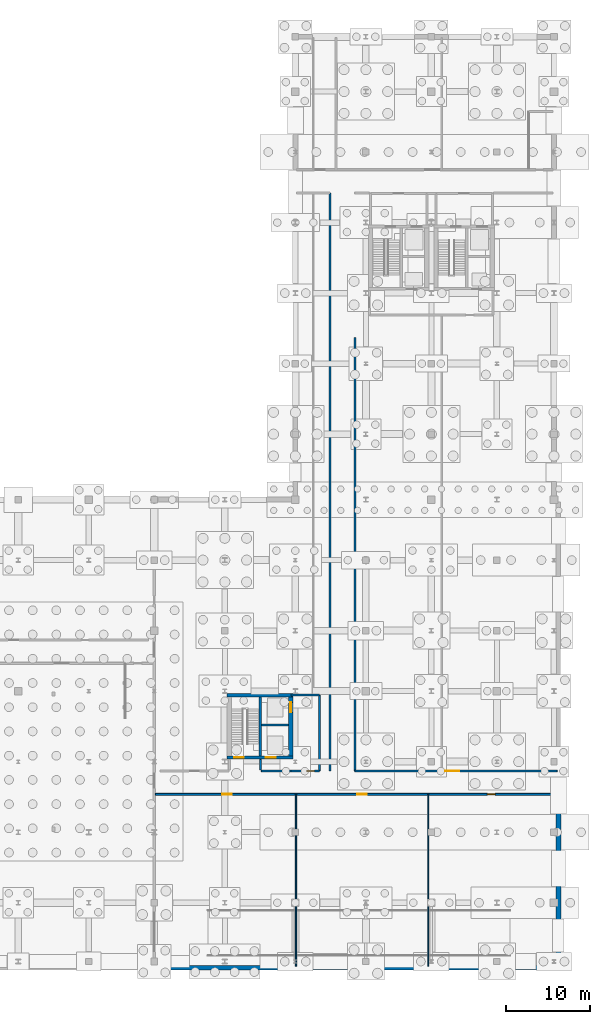
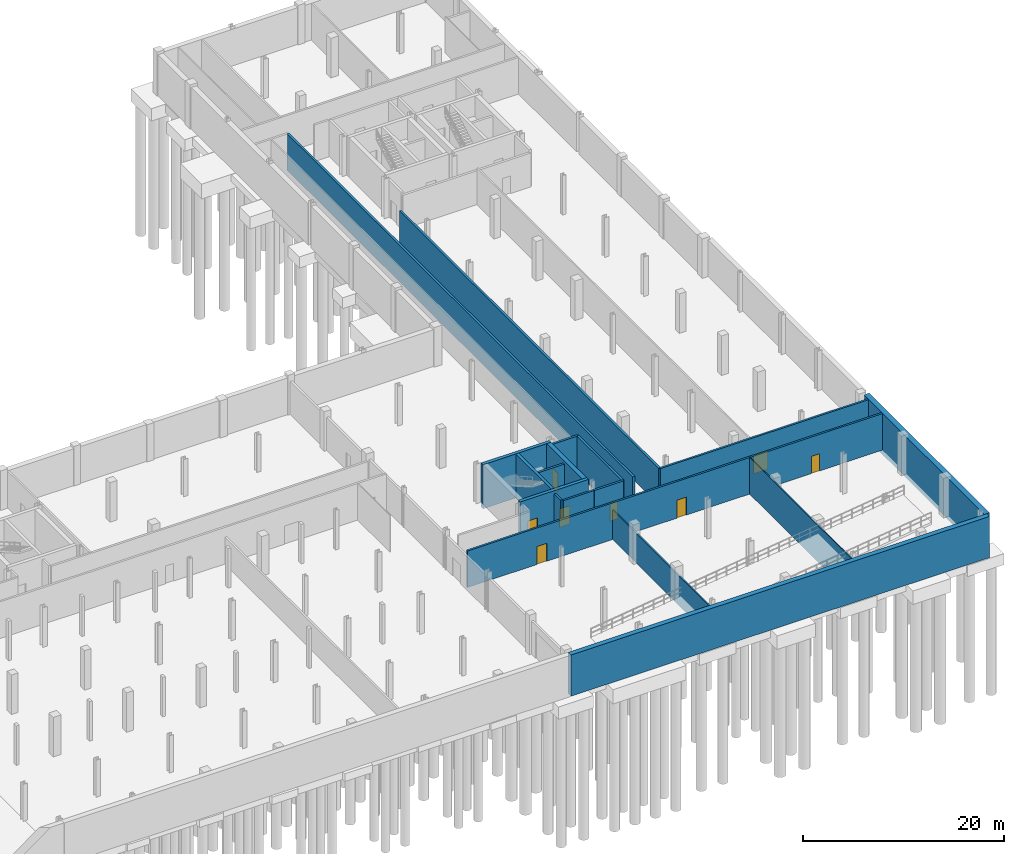
# One storey, part 25 of 32: 18 walls, 8 doors, 8 openings.
"""IFC4 building model written with IfcOpenShell, lengths in metres."""

from ifc_helpers import new_model, si_unit, direction, frame, frame_2d, origin_with_axes, place, context, subcontext, project, spatial, rectangle, extrude, material, layer, layer_set, type_object, element, fill, save


model = new_model("IFC4")

# Units and contexts
model_context = context("Model", 3, precision=1e-05, world=origin_with_axes(), true_north=direction((0.0, 1.0)))
body_context = subcontext(model_context, "Body", "Model", "MODEL_VIEW")
ifc_project = project(units=[si_unit("LENGTHUNIT", "METRE"), si_unit("AREAUNIT", "SQUARE_METRE"), si_unit("VOLUMEUNIT", "CUBIC_METRE"), si_unit("PLANEANGLEUNIT", "RADIAN"), si_unit("MASSUNIT", "GRAM", prefix="KILO"), si_unit("THERMODYNAMICTEMPERATUREUNIT", "KELVIN")], contexts=[model_context])

# Site, building, storey
site_placement = place(None, origin_with_axes())
site = spatial("IfcSite", under=ifc_project, at=site_placement, CompositionType="ELEMENT")
building_placement = place(site_placement, origin_with_axes())
building = spatial("IfcBuilding", under=site, at=building_placement, Name="Montbau Bow Law Courts", CompositionType="ELEMENT")
storey_placement = place(building_placement, frame((0.0, 0.0, -4.8), z_axis=(0.0, 0.0, 1.0), x_axis=(1.0, 0.0, 0.0)))
storey = spatial("IfcBuildingStorey", under=building, at=storey_placement, Name="B1", CompositionType="ELEMENT", Elevation=-4.8)

# Wall, opening, door
ifc_material_1 = material(Name="Concrete CSA A23.1 f'c 45 MPa", Category="concrete")
ifc_layer_1 = layer(ifc_material_1, 0.5, Name="Shear Wall", Category="concrete")
ifc_layer_set_1 = layer_set([ifc_layer_1], Name="Concrete CSA A23.1 f'c 45 MPa")
wall_type_1 = type_object("IfcWallType", Name="W-COR-01", PredefinedType="SHEAR", material=ifc_layer_set_1)
wall_1_placement = place(None, frame((138.06, 31.27, -5.35), z_axis=(0.0, 0.0, 1.0), x_axis=(0.0, 1.0, 0.0)))
wall_1 = element("IfcWall", 1, at=wall_1_placement, inside=storey, type_object=wall_type_1, Name="WC-B1-0482:wal_0549", PredefinedType="SHEAR", context=body_context, shape_type="SweptSolid", body=[
    extrude(rectangle(XDim=7.059999999999999, YDim=0.5, at=frame_2d((3.53, 0.0), x_axis=(1.0, 0.0))), origin_with_axes(), (0.0, 0.0, 1.0), 5.35),
])
opening_1_placement = place(None, frame((138.06, 37.07, -4.8), z_axis=(0.0, 0.0, 1.0), x_axis=(0.0, 1.0, 0.0)))
opening_1 = element("IfcOpeningElement", 2, at=opening_1_placement, cuts=wall_1, Name="OP-LD-B1-EL-C2", PredefinedType="OPENING", context=body_context, shape_type="SweptSolid", body=[
    extrude(rectangle(XDim=1.18, YDim=2.24, at=frame_2d((0.0, 1.12), x_axis=(1.0, 0.0))), frame((0.0, 0.26, 0.0), z_axis=(0.0, -1.0, 0.0), x_axis=(1.0, 0.0, 0.0)), (0.0, 0.0, 1.0), 0.52),
])
ifc_material_2 = material(Name="Heavy-Gauge Security Custody Elevator Landing Door", Category="steel")
door_type_1 = type_object("IfcDoorType", Name="LD-CUS-01", OperationType="NOTDEFINED", ParameterTakesPrecedence=False, PredefinedType="DOOR", material=ifc_material_2)
door_1_placement = place(None, frame((138.06, 37.07, -4.8), z_axis=(0.0, 0.0, 1.0), x_axis=(0.0, 1.0, 0.0)))
door_1 = element("IfcDoor", 3, at=door_1_placement, inside=storey, type_object=door_type_1, Name="LD-B1-EL-C2:dor_0217", OperationType="SLIDING_TO_LEFT", OverallHeight=2.24, OverallWidth=1.18, PredefinedType="DOOR", context=body_context, shape_type="SweptSolid", body=[
    extrude(rectangle(XDim=1.18, YDim=2.24, at=frame_2d((0.0, 1.12), x_axis=(1.0, 0.0))), frame((0.0, 0.04, 0.0), z_axis=(0.0, -1.0, 0.0), x_axis=(1.0, 0.0, 0.0)), (0.0, 0.0, 1.0), 0.08),
])
fill(opening_1, door_1)

# Wall, openings, doors
ifc_layer_2 = layer(ifc_material_1, 0.38, Name="Shear Wall", Category="concrete")
ifc_layer_set_2 = layer_set([ifc_layer_2], Name="Concrete CSA A23.1 f'c 45 MPa")
wall_type_2 = type_object("IfcWallType", Name="W-COR-04", PredefinedType="SHEAR", material=ifc_layer_set_2)
wall_2_placement = place(None, frame((130.49, 31.08, -5.35), z_axis=(0.0, 0.0, 1.0), x_axis=(1.0, 0.0, 0.0)))
wall_2 = element("IfcWall", 4, at=wall_2_placement, inside=storey, type_object=wall_type_2, Name="WC-B1-0480:wal_0547", PredefinedType="SHEAR", context=body_context, shape_type="SweptSolid", body=[
    extrude(rectangle(XDim=7.819999999999993, YDim=0.38, at=frame_2d((3.91, 0.0), x_axis=(1.0, 0.0))), origin_with_axes(), (0.0, 0.0, 1.0), 5.35),
])
opening_2_placement = place(None, frame((131.91, 31.08, -4.8), z_axis=(0.0, 0.0, 1.0), x_axis=(1.0, 0.0, 0.0)))
opening_2 = element("IfcOpeningElement", 5, at=opening_2_placement, cuts=wall_2, Name="OP-D-B1-ST-C1", PredefinedType="OPENING", context=body_context, shape_type="SweptSolid", body=[
    extrude(rectangle(XDim=1.14, YDim=2.18, at=frame_2d((0.0, 1.09), x_axis=(1.0, 0.0))), frame((0.0, 0.2, 0.0), z_axis=(0.0, -1.0, 0.0), x_axis=(1.0, 0.0, 0.0)), (0.0, 0.0, 1.0), 0.4),
])
opening_3_placement = place(None, frame((135.66, 31.08, -4.8), z_axis=(0.0, 0.0, 1.0), x_axis=(1.0, 0.0, 0.0)))
opening_3 = element("IfcOpeningElement", 6, at=opening_3_placement, cuts=wall_2, Name="OP-LD-B1-EL-C1", PredefinedType="OPENING", context=body_context, shape_type="SweptSolid", body=[
    extrude(rectangle(XDim=1.18, YDim=2.24, at=frame_2d((0.0, 1.12), x_axis=(1.0, 0.0))), frame((0.0, 0.2, 0.0), z_axis=(0.0, -1.0, 0.0), x_axis=(1.0, 0.0, 0.0)), (0.0, 0.0, 1.0), 0.4),
])
ifc_material_3 = material(Name="1.5 h Fire-Rated Hollow-Metal Exit Stair Door", Category="steel")
door_type_2 = type_object("IfcDoorType", Name="D-ST-01", OperationType="NOTDEFINED", ParameterTakesPrecedence=False, PredefinedType="DOOR", material=ifc_material_3)
door_2_placement = place(None, frame((131.91, 31.08, -4.8), z_axis=(0.0, 0.0, 1.0), x_axis=(-1.0, 0.0, 0.0)))
door_2 = element("IfcDoor", 7, at=door_2_placement, inside=storey, type_object=door_type_2, Name="D-B1-ST-C1:dor_0215", OperationType="SINGLE_SWING_RIGHT", OverallHeight=2.18, OverallWidth=1.14, PredefinedType="DOOR", context=body_context, shape_type="SweptSolid", body=[
    extrude(rectangle(XDim=1.14, YDim=2.18, at=frame_2d((0.0, 1.09), x_axis=(1.0, 0.0))), frame((0.0, 0.04, 0.0), z_axis=(0.0, -1.0, 0.0), x_axis=(1.0, 0.0, 0.0)), (0.0, 0.0, 1.0), 0.08),
])
fill(opening_2, door_2)
door_3_placement = place(None, frame((135.66, 31.08, -4.8), z_axis=(0.0, 0.0, 1.0), x_axis=(-1.0, 0.0, 0.0)))
door_3 = element("IfcDoor", 8, at=door_3_placement, inside=storey, type_object=door_type_1, Name="LD-B1-EL-C1:dor_0216", OperationType="SLIDING_TO_LEFT", OverallHeight=2.24, OverallWidth=1.18, PredefinedType="DOOR", context=body_context, shape_type="SweptSolid", body=[
    extrude(rectangle(XDim=1.18, YDim=2.24, at=frame_2d((0.0, 1.12), x_axis=(1.0, 0.0))), frame((0.0, 0.04, 0.0), z_axis=(0.0, -1.0, 0.0), x_axis=(1.0, 0.0, 0.0)), (0.0, 0.0, 1.0), 0.08),
])
fill(opening_3, door_3)

# Walls
wall_3_placement = place(None, frame((138.31, 38.52, -5.35), z_axis=(0.0, 0.0, 1.0), x_axis=(-1.0, 0.0, 0.0)))
element("IfcWall", 9, at=wall_3_placement, inside=storey, type_object=wall_type_2, Name="WC-B1-0481:wal_0548", PredefinedType="SHEAR", context=body_context, shape_type="SweptSolid", body=[
    extrude(rectangle(XDim=7.819999999999993, YDim=0.38, at=frame_2d((3.91, 0.0), x_axis=(1.0, 0.0))), origin_with_axes(), (0.0, 0.0, 1.0), 5.35),
])
ifc_layer_3 = layer(ifc_material_1, 0.32, Name="Shear Wall", Category="concrete")
ifc_layer_set_3 = layer_set([ifc_layer_3], Name="Concrete CSA A23.1 f'c 45 MPa")
wall_type_3 = type_object("IfcWallType", Name="W-COR-05", PredefinedType="SHEAR", material=ifc_layer_set_3)
wall_4_placement = place(None, frame((134.42, 31.27, -5.35), z_axis=(0.0, 0.0, 1.0), x_axis=(0.0, 1.0, 0.0)))
element("IfcWall", 10, at=wall_4_placement, inside=storey, type_object=wall_type_3, Name="WS-B1-0484:wal_0551", PredefinedType="SHEAR", context=body_context, shape_type="SweptSolid", body=[
    extrude(rectangle(XDim=7.059999999999999, YDim=0.32, at=frame_2d((3.53, 0.0), x_axis=(1.0, 0.0))), origin_with_axes(), (0.0, 0.0, 1.0), 5.35),
])
ifc_material_4 = material(Name="2 h Shaft and Exit-Passage Fire Separation Partition", Category="gypsum")
ifc_layer_4 = layer(ifc_material_4, 0.25, Name="Partition", Category="gypsum")
ifc_layer_set_4 = layer_set([ifc_layer_4], Name="2 h Shaft and Exit-Passage Fire Separation Partition")
wall_type_4 = type_object("IfcWallType", Name="W-PRT-01", PredefinedType="PARTITIONING", material=ifc_layer_set_4)
wall_5_placement = place(None, frame((134.58, 34.949, -4.8), z_axis=(0.0, 0.0, 1.0), x_axis=(1.0, 0.0, 0.0)))
element("IfcWall", 11, at=wall_5_placement, inside=storey, type_object=wall_type_4, Name="WS-B1-0485:wal_0552", PredefinedType="PARTITIONING", context=body_context, shape_type="SweptSolid", body=[
    extrude(rectangle(XDim=3.2299999999999898, YDim=0.25, at=frame_2d((1.615, 0.0), x_axis=(1.0, 0.0))), origin_with_axes(), (0.0, 0.0, 1.0), 4.44),
])
wall_6_placement = place(None, frame((141.46, 29.49, -4.8), z_axis=(0.0, 0.0, 1.0), x_axis=(0.0, 1.0, 0.0)))
element("IfcWall", 12, at=wall_6_placement, inside=storey, type_object=wall_type_4, Name="WEL-B1-0486:wal_0553", PredefinedType="PARTITIONING", context=body_context, shape_type="SweptSolid", body=[
    extrude(rectangle(XDim=9.030000000000005, YDim=0.25, at=frame_2d((4.515, 0.0), x_axis=(1.0, 0.0))), origin_with_axes(), (0.0, 0.0, 1.0), 4.44),
])
wall_7_placement = place(None, frame((138.1, 38.52, -4.8), z_axis=(0.0, 0.0, 1.0), x_axis=(1.0, 0.0, 0.0)))
element("IfcWall", 13, at=wall_7_placement, inside=storey, type_object=wall_type_4, Name="WEL-B1-0487:wal_0554", PredefinedType="PARTITIONING", context=body_context, shape_type="SweptSolid", body=[
    extrude(rectangle(XDim=3.3600000000000136, YDim=0.25, at=frame_2d((1.68, 0.0), x_axis=(1.0, 0.0))), origin_with_axes(), (0.0, 0.0, 1.0), 4.44),
])

# Wall, opening, door
wall_8_placement = place(None, frame((138.1, 29.49, -4.8), z_axis=(0.0, 0.0, 1.0), x_axis=(1.0, 0.0, 0.0)))
wall_8 = element("IfcWall", 14, at=wall_8_placement, inside=storey, type_object=wall_type_4, Name="WEL-B1-0488:wal_0555", PredefinedType="PARTITIONING", context=body_context, shape_type="SweptSolid", body=[
    extrude(rectangle(XDim=3.3600000000000136, YDim=0.25, at=frame_2d((1.68, 0.0), x_axis=(1.0, 0.0))), origin_with_axes(), (0.0, 0.0, 1.0), 4.44),
])
opening_4_placement = place(None, frame((140.405, 29.49, -4.8), z_axis=(0.0, 0.0, 1.0), x_axis=(1.0, 0.0, 0.0)))
opening_4 = element("IfcOpeningElement", 15, at=opening_4_placement, cuts=wall_8, Name="OP-D-B1-ELB-CORE-CU", PredefinedType="OPENING", context=body_context, shape_type="SweptSolid", body=[
    extrude(rectangle(XDim=0.91, YDim=2.12, at=frame_2d((0.0, 1.06), x_axis=(1.0, 0.0))), frame((0.0, 0.135, 0.0), z_axis=(0.0, -1.0, 0.0), x_axis=(1.0, 0.0, 0.0)), (0.0, 0.0, 1.0), 0.27),
])
ifc_material_5 = material(Name="Public and Judicial Washroom Solid-Core Door", Category="wood")
door_type_3 = type_object("IfcDoorType", Name="D-WC-02", OperationType="NOTDEFINED", ParameterTakesPrecedence=False, PredefinedType="DOOR", material=ifc_material_5)
door_4_placement = place(None, frame((140.405, 29.49, -4.8), z_axis=(0.0, 0.0, 1.0), x_axis=(1.0, 0.0, 0.0)))
door_4 = element("IfcDoor", 16, at=door_4_placement, inside=storey, type_object=door_type_3, Name="D-B1-ELB-CORE-CU:dor_0218", OperationType="SINGLE_SWING_LEFT", OverallHeight=2.12, OverallWidth=0.91, PredefinedType="DOOR", context=body_context, shape_type="SweptSolid", body=[
    extrude(rectangle(XDim=0.91, YDim=2.12, at=frame_2d((0.0, 1.06), x_axis=(1.0, 0.0))), frame((0.0, 0.04, 0.0), z_axis=(0.0, -1.0, 0.0), x_axis=(1.0, 0.0, 0.0)), (0.0, 0.0, 1.0), 0.08),
])
fill(opening_4, door_4)

# Walls
wall_9_placement = place(None, frame((142.71, 29.49, -4.8), z_axis=(0.0, 0.0, 1.0), x_axis=(0.0, 1.0, 0.0)))
element("IfcWall", 17, at=wall_9_placement, inside=storey, type_object=wall_type_4, Name="WCX-B1-0590:wal_0657", PredefinedType="PARTITIONING", context=body_context, shape_type="SweptSolid", body=[
    extrude(rectangle(XDim=68.82000000000001, YDim=0.25, at=frame_2d((34.41, 0.0), x_axis=(1.0, 0.0))), origin_with_axes(), (0.0, 0.0, 1.0), 4.44),
])
wall_10_placement = place(None, frame((145.69, 29.49, -4.8), z_axis=(0.0, 0.0, 1.0), x_axis=(0.0, 1.0, 0.0)))
element("IfcWall", 18, at=wall_10_placement, inside=storey, type_object=wall_type_4, Name="WCX-B1-0591:wal_0658", PredefinedType="PARTITIONING", context=body_context, shape_type="SweptSolid", body=[
    extrude(rectangle(XDim=51.61, YDim=0.25, at=frame_2d((25.805, 0.0), x_axis=(1.0, 0.0))), origin_with_axes(), (0.0, 0.0, 1.0), 4.44),
])
ifc_material_6 = material(Name="STC-60 High-Acoustic Courtroom Perimeter Partition", Category="gypsum")
ifc_layer_5 = layer(ifc_material_6, 0.22, Name="Partition", Category="gypsum")
ifc_layer_set_5 = layer_set([ifc_layer_5], Name="STC-60 High-Acoustic Courtroom Perimeter Partition")
wall_type_5 = type_object("IfcWallType", Name="W-PRT-02", PredefinedType="PARTITIONING", material=ifc_layer_set_5)
wall_11_placement = place(None, frame((134.45, 29.62, -4.8), z_axis=(0.0, 0.0, 1.0), x_axis=(0.0, 1.0, 0.0)))
element("IfcWall", 19, at=wall_11_placement, inside=storey, type_object=wall_type_5, Name="WCX-B1-0589:wal_0656", PredefinedType="PARTITIONING", context=body_context, shape_type="SweptSolid", body=[
    extrude(rectangle(XDim=1.259999999999998, YDim=0.22, at=frame_2d((0.63, 0.0), x_axis=(1.0, 0.0))), origin_with_axes(), (0.0, 0.0, 1.0), 4.44),
])
wall_12_placement = place(None, frame((134.55, 29.49, -4.8), z_axis=(0.0, 0.0, 1.0), x_axis=(1.0, 0.0, 0.0)))
element("IfcWall", 20, at=wall_12_placement, inside=storey, type_object=wall_type_5, Name="WP-B1-0593:wal_0660", PredefinedType="PARTITIONING", context=body_context, shape_type="SweptSolid", body=[
    extrude(rectangle(XDim=3.509999999999991, YDim=0.22, at=frame_2d((1.755, 0.0), x_axis=(1.0, 0.0))), origin_with_axes(), (0.0, 0.0, 1.0), 4.44),
])

# Wall, opening, door
wall_13_placement = place(None, frame((145.7, 29.49, -4.8), z_axis=(0.0, 0.0, 1.0), x_axis=(1.0, 0.0, 0.0)))
wall_13 = element("IfcWall", 21, at=wall_13_placement, inside=storey, type_object=wall_type_5, Name="WP-B1-0594:wal_0661", PredefinedType="PARTITIONING", context=body_context, shape_type="SweptSolid", body=[
    extrude(rectangle(XDim=24.080000000000013, YDim=0.22, at=frame_2d((12.04, 0.0), x_axis=(1.0, 0.0))), origin_with_axes(), (0.0, 0.0, 1.0), 4.44),
])
opening_5_placement = place(None, frame((157.267, 29.49, -4.8), z_axis=(0.0, 0.0, 1.0), x_axis=(1.0, 0.0, 0.0)))
opening_5 = element("IfcOpeningElement", 22, at=opening_5_placement, cuts=wall_13, Name="OP-D-B1-223", PredefinedType="OPENING", context=body_context, shape_type="SweptSolid", body=[
    extrude(rectangle(XDim=1.68, YDim=2.22, at=frame_2d((0.0, 1.11), x_axis=(1.0, 0.0))), frame((0.0, 0.12, 0.0), z_axis=(0.0, -1.0, 0.0), x_axis=(1.0, 0.0, 0.0)), (0.0, 0.0, 1.0), 0.24),
])
ifc_material_7 = material(Name="2 h Evidence Vault and Court Archive Fire Door", Category="steel")
door_type_4 = type_object("IfcDoorType", Name="D-ARC-01", OperationType="NOTDEFINED", ParameterTakesPrecedence=False, PredefinedType="DOOR", material=ifc_material_7)
door_5_placement = place(None, frame((157.267, 29.49, -4.8), z_axis=(0.0, 0.0, 1.0), x_axis=(-1.0, 0.0, 0.0)))
door_5 = element("IfcDoor", 23, at=door_5_placement, inside=storey, type_object=door_type_4, Name="D-B1-223:dor_0258", OperationType="DOUBLE_DOOR_SINGLE_SWING", OverallHeight=2.22, OverallWidth=1.68, PredefinedType="DOOR", context=body_context, shape_type="SweptSolid", body=[
    extrude(rectangle(XDim=1.68, YDim=2.22, at=frame_2d((0.0, 1.11), x_axis=(1.0, 0.0))), frame((0.0, 0.04, 0.0), z_axis=(0.0, -1.0, 0.0), x_axis=(1.0, 0.0, 0.0)), (0.0, 0.0, 1.0), 0.08),
])
fill(opening_5, door_5)

# Wall, openings, doors
wall_14_placement = place(None, frame((121.94, 26.71, -4.8), z_axis=(0.0, 0.0, 1.0), x_axis=(1.0, 0.0, 0.0)))
wall_14 = element("IfcWall", 24, at=wall_14_placement, inside=storey, type_object=wall_type_5, Name="WP-B1-0595:wal_0662", PredefinedType="PARTITIONING", context=body_context, shape_type="SweptSolid", body=[
    extrude(rectangle(XDim=47.84, YDim=0.22, at=frame_2d((23.92, 0.0), x_axis=(1.0, 0.0))), origin_with_axes(), (0.0, 0.0, 1.0), 4.44),
])
opening_6_placement = place(None, frame((130.471, 26.71, -4.8), z_axis=(0.0, 0.0, 1.0), x_axis=(1.0, 0.0, 0.0)))
opening_6 = element("IfcOpeningElement", 25, at=opening_6_placement, cuts=wall_14, Name="OP-D-B1-225", PredefinedType="OPENING", context=body_context, shape_type="SweptSolid", body=[
    extrude(rectangle(XDim=1.14, YDim=2.18, at=frame_2d((0.0, 1.09), x_axis=(1.0, 0.0))), frame((0.0, 0.12, 0.0), z_axis=(0.0, -1.0, 0.0), x_axis=(1.0, 0.0, 0.0)), (0.0, 0.0, 1.0), 0.24),
])
opening_7_placement = place(None, frame((146.54, 26.71, -4.8), z_axis=(0.0, 0.0, 1.0), x_axis=(1.0, 0.0, 0.0)))
opening_7 = element("IfcOpeningElement", 26, at=opening_7_placement, cuts=wall_14, Name="OP-D-B1-226", PredefinedType="OPENING", context=body_context, shape_type="SweptSolid", body=[
    extrude(rectangle(XDim=1.08, YDim=2.18, at=frame_2d((0.0, 1.09), x_axis=(1.0, 0.0))), frame((0.0, 0.12, 0.0), z_axis=(0.0, -1.0, 0.0), x_axis=(1.0, 0.0, 0.0)), (0.0, 0.0, 1.0), 0.24),
])
opening_8_placement = place(None, frame((161.929, 26.71, -4.8), z_axis=(0.0, 0.0, 1.0), x_axis=(1.0, 0.0, 0.0)))
opening_8 = element("IfcOpeningElement", 27, at=opening_8_placement, cuts=wall_14, Name="OP-D-B1-227", PredefinedType="OPENING", context=body_context, shape_type="SweptSolid", body=[
    extrude(rectangle(XDim=0.93, YDim=2.1, at=frame_2d((0.0, 1.05), x_axis=(1.0, 0.0))), frame((0.0, 0.12, 0.0), z_axis=(0.0, -1.0, 0.0), x_axis=(1.0, 0.0, 0.0)), (0.0, 0.0, 1.0), 0.24),
])
ifc_material_8 = material(Name="Custody Holding Cell Steel Observation Door", Category="steel")
door_type_5 = type_object("IfcDoorType", Name="D-CEL-01", OperationType="NOTDEFINED", ParameterTakesPrecedence=False, PredefinedType="DOOR", material=ifc_material_8)
door_6_placement = place(None, frame((161.929, 26.71, -4.8), z_axis=(0.0, 0.0, 1.0), x_axis=(1.0, 0.0, 0.0)))
door_6 = element("IfcDoor", 28, at=door_6_placement, inside=storey, type_object=door_type_5, Name="D-B1-227:dor_0262", OperationType="SINGLE_SWING_LEFT", OverallHeight=2.1, OverallWidth=0.93, PredefinedType="DOOR", context=body_context, shape_type="SweptSolid", body=[
    extrude(rectangle(XDim=0.93, YDim=2.1, at=frame_2d((0.0, 1.05), x_axis=(1.0, 0.0))), frame((0.0, 0.04, 0.0), z_axis=(0.0, -1.0, 0.0), x_axis=(1.0, 0.0, 0.0)), (0.0, 0.0, 1.0), 0.08),
])
fill(opening_8, door_6)
ifc_material_9 = material(Name="Detention-Grade Steel Custody Corridor Interlock Gate", Category="steel")
door_type_6 = type_object("IfcDoorType", Name="D-GAT-02", OperationType="NOTDEFINED", ParameterTakesPrecedence=False, PredefinedType="GATE", material=ifc_material_9)
door_7_placement = place(None, frame((146.54, 26.71, -4.8), z_axis=(0.0, 0.0, 1.0), x_axis=(1.0, 0.0, 0.0)))
door_7 = element("IfcDoor", 29, at=door_7_placement, inside=storey, type_object=door_type_6, Name="D-B1-226:dor_0261", OperationType="SINGLE_SWING_RIGHT", OverallHeight=2.18, OverallWidth=1.08, PredefinedType="GATE", context=body_context, shape_type="SweptSolid", body=[
    extrude(rectangle(XDim=1.08, YDim=2.18, at=frame_2d((0.0, 1.09), x_axis=(1.0, 0.0))), frame((0.0, 0.04, 0.0), z_axis=(0.0, -1.0, 0.0), x_axis=(1.0, 0.0, 0.0)), (0.0, 0.0, 1.0), 0.08),
])
fill(opening_7, door_7)
door_8_placement = place(None, frame((130.471, 26.71, -4.8), z_axis=(0.0, 0.0, 1.0), x_axis=(1.0, 0.0, 0.0)))
door_8 = element("IfcDoor", 30, at=door_8_placement, inside=storey, type_object=door_type_2, Name="D-B1-225:dor_0260", OperationType="SINGLE_SWING_LEFT", OverallHeight=2.18, OverallWidth=1.14, PredefinedType="DOOR", context=body_context, shape_type="SweptSolid", body=[
    extrude(rectangle(XDim=1.14, YDim=2.18, at=frame_2d((0.0, 1.09), x_axis=(1.0, 0.0))), frame((0.0, 0.04, 0.0), z_axis=(0.0, -1.0, 0.0), x_axis=(1.0, 0.0, 0.0)), (0.0, 0.0, 1.0), 0.08),
])
fill(opening_6, door_8)

# Walls
ifc_material_10 = material(Name="STC-52 Judicial Chambers Acoustic Partition", Category="gypsum")
ifc_layer_6 = layer(ifc_material_10, 0.16, Name="Partition", Category="gypsum")
ifc_layer_set_6 = layer_set([ifc_layer_6], Name="STC-52 Judicial Chambers Acoustic Partition")
wall_type_6 = type_object("IfcWallType", Name="W-PRT-05", PredefinedType="PARTITIONING", material=ifc_layer_set_6)
wall_15_placement = place(None, frame((138.678, 6.22, -4.8), z_axis=(0.0, 0.0, 1.0), x_axis=(0.0, 1.0, 0.0)))
element("IfcWall", 31, at=wall_15_placement, inside=storey, type_object=wall_type_6, Name="WD-B1-0607:wal_0674", PredefinedType="PARTITIONING", context=body_context, shape_type="SweptSolid", body=[
    extrude(rectangle(XDim=20.490000000000002, YDim=0.16, at=frame_2d((10.245, 0.0), x_axis=(1.0, 0.0))), origin_with_axes(), (0.0, 0.0, 1.0), 3.584),
])
ifc_material_11 = material(Name="1 h Interior Demising Acoustic Stud Partition", Category="gypsum")
ifc_layer_7 = layer(ifc_material_11, 0.12, Name="Partition", Category="gypsum")
ifc_layer_set_7 = layer_set([ifc_layer_7], Name="1 h Interior Demising Acoustic Stud Partition")
wall_type_7 = type_object("IfcWallType", Name="W-PRT-07", PredefinedType="PARTITIONING", material=ifc_layer_set_7)
wall_16_placement = place(None, frame((154.402, 6.22, -4.8), z_axis=(0.0, 0.0, 1.0), x_axis=(0.0, 1.0, 0.0)))
element("IfcWall", 32, at=wall_16_placement, inside=storey, type_object=wall_type_7, Name="WD-B1-0608:wal_0675", PredefinedType="PARTITIONING", context=body_context, shape_type="SweptSolid", body=[
    extrude(rectangle(XDim=20.490000000000002, YDim=0.12, at=frame_2d((10.245, 0.0), x_axis=(1.0, 0.0))), origin_with_axes(), (0.0, 0.0, 1.0), 4.44),
])
ifc_material_12 = material(Name="Concrete CSA A23.1 f'c 40 MPa", Category="concrete")
ifc_layer_8 = layer(ifc_material_12, 0.55, Name="Retaining Wall", Category="concrete")
ifc_layer_set_8 = layer_set([ifc_layer_8], Name="Concrete CSA A23.1 f'c 40 MPa")
wall_type_8 = type_object("IfcWallType", Name="W-RET-01", PredefinedType="USERDEFINED", material=ifc_layer_set_8)
wall_17_placement = place(None, frame((121.8, 6.08, -5.35), z_axis=(0.0, 0.0, 1.0), x_axis=(1.0, 0.0, 0.0)))
element("IfcWall", 33, at=wall_17_placement, inside=storey, type_object=wall_type_8, Name="WR-B1-03:wal_0003", ObjectType="RETAININGWALL", PredefinedType="USERDEFINED", context=body_context, shape_type="SweptSolid", body=[
    extrude(rectangle(XDim=48.11999999999999, YDim=0.55, at=frame_2d((24.06, 0.0), x_axis=(1.0, 0.0))), origin_with_axes(), (0.0, 0.0, 1.0), 5.01),
])
ifc_layer_9 = layer(ifc_material_12, 0.6, Name="Retaining Wall", Category="concrete")
ifc_layer_set_9 = layer_set([ifc_layer_9], Name="Concrete CSA A23.1 f'c 40 MPa")
wall_type_9 = type_object("IfcWallType", Name="W-RET-02", PredefinedType="USERDEFINED", material=ifc_layer_set_9)
wall_18_placement = place(None, frame((169.92, 6.36, -5.35), z_axis=(0.0, 0.0, 1.0), x_axis=(0.0, 1.0, 0.0)))
element("IfcWall", 34, at=wall_18_placement, inside=storey, type_object=wall_type_9, Name="WR-B1-04:wal_0004", ObjectType="RETAININGWALL", PredefinedType="USERDEFINED", context=body_context, shape_type="SweptSolid", body=[
    extrude(rectangle(XDim=23.96, YDim=0.6, at=frame_2d((11.98, 0.0), x_axis=(1.0, 0.0))), origin_with_axes(), (0.0, 0.0, 1.0), 5.01),
])

save(model, "model.ifc")
